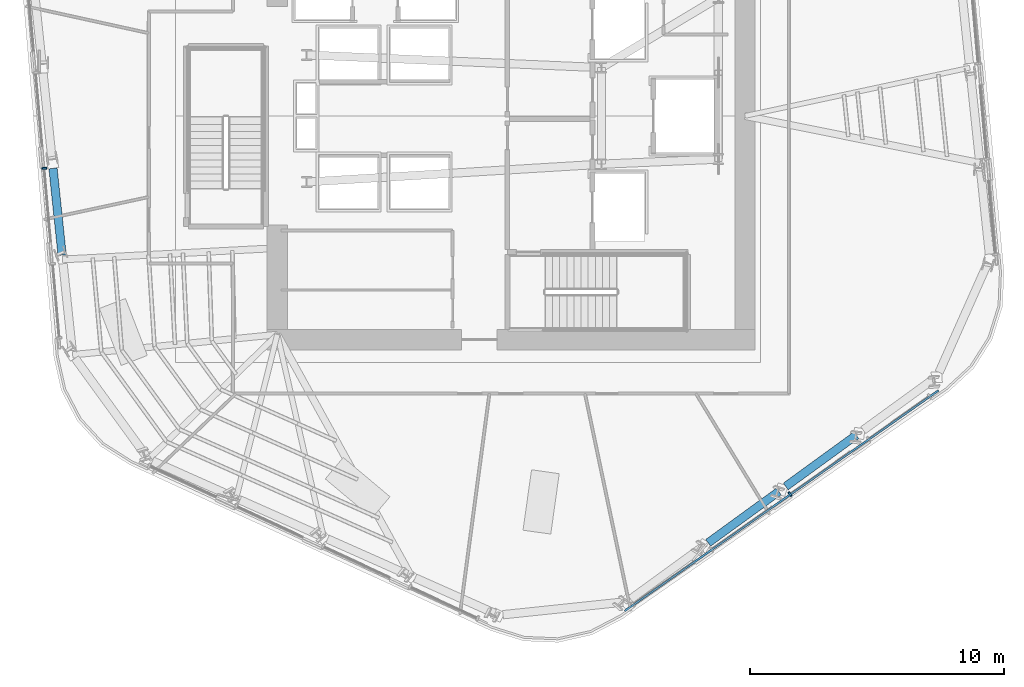
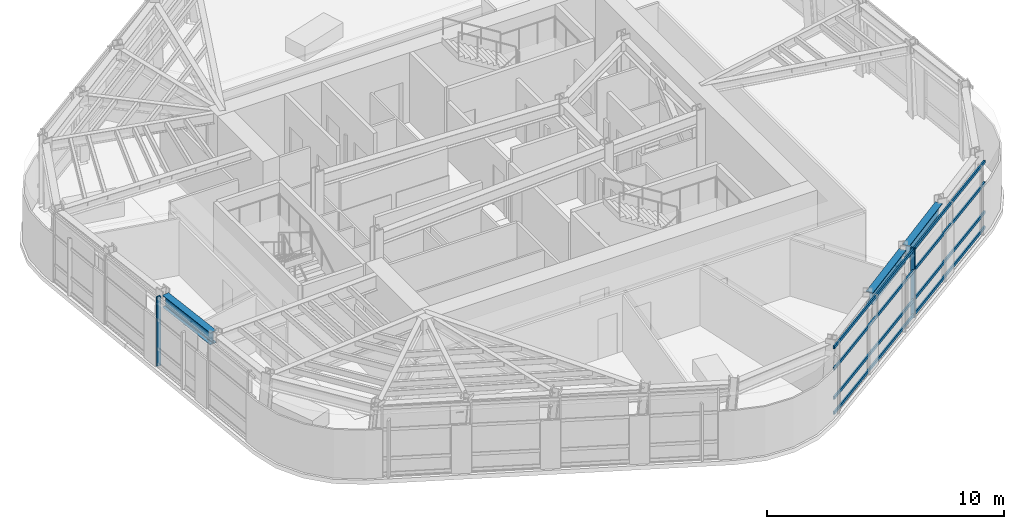
# One storey, part 3 of 14: 6 members, 3 beams, 2 elements without a shape of their own.
"""IFC4 building model written with IfcOpenShell, lengths in metres."""

import ifcopenshell
import ifcopenshell.guid

model = None  # the IFC model being written
_history = None  # IfcOwnerHistory: only IFC2X3 demands one
_inside = {}  # id of a spatial element -> (the spatial element, [elements in it])
_under = {}  # id of a project, library or spatial element -> (it, [spatial elements below it])
_declared = {}  # id of a project -> (the project, [libraries it declares])
_typed = {}  # id of a type object -> (the type object, [elements of that type])
_made_of = {}  # id of a material, layer set ... -> (it, [elements and type objects made of it])


def new_model(schema):
    """Start an empty IFC model of exactly this schema.

    Asked for "IFC4X3", IfcOpenShell would pick the latest addendum, in which some entities
    have other attributes; the version numbers below select the first issue.
    IFC2X3 requires an IfcOwnerHistory on every rooted entity: one is made here for all.
    """
    global model, _history
    if schema == "IFC4X3":
        model = ifcopenshell.file(schema_version=(4, 3, 0, 0))
    else:
        model = ifcopenshell.file(schema=schema)
    _inside.clear()
    _under.clear()
    _declared.clear()
    _typed.clear()
    _made_of.clear()
    _history = None
    if model.schema == "IFC2X3":
        org = make("IfcOrganization", Name="unknown")
        user = make(
            "IfcPersonAndOrganization",
            ThePerson=make("IfcPerson", FamilyName="unknown"),
            TheOrganization=org,
        )
        app = make(
            "IfcApplication",
            ApplicationDeveloper=org,
            Version="unknown",
            ApplicationFullName="unknown",
            ApplicationIdentifier="unknown",
        )
        _history = make(
            "IfcOwnerHistory",
            OwningUser=user,
            OwningApplication=app,
            ChangeAction="ADDED",
            CreationDate=0,
        )
    return model


def make(cls, **values):
    """One entity of the class cls with the attributes given. An attribute that is None is left unset."""
    return model.create_entity(
        cls, **{name: value for name, value in values.items() if value is not None}
    )


def rooted(cls, **values):
    """An entity with a GlobalId (a new one), such as an element, a storey or a relation."""
    return make(cls, GlobalId=ifcopenshell.guid.new(), OwnerHistory=_history, **values)


def si_unit(unit_type, name, prefix=None):
    """IfcSIUnit, for example si_unit("LENGTHUNIT", "METRE", prefix="MILLI")."""
    return make("IfcSIUnit", UnitType=unit_type, Prefix=prefix, Name=name)


def assignment(units):
    """IfcUnitAssignment: the units of a project."""
    return None if units is None else make("IfcUnitAssignment", Units=units)


def point(xyz):
    """IfcCartesianPoint."""
    return None if xyz is None else make("IfcCartesianPoint", Coordinates=xyz)


def direction(xyz):
    """IfcDirection."""
    return None if xyz is None else make("IfcDirection", DirectionRatios=xyz)


def frame(location, z_axis=None, x_axis=None):
    """IfcAxis2Placement3D, a coordinate frame: its origin and axes. An axis left out is left unset."""
    return make(
        "IfcAxis2Placement3D",
        Location=point(location),
        Axis=direction(z_axis),
        RefDirection=direction(x_axis),
    )


def frame_2d(location, x_axis=None):
    """IfcAxis2Placement2D, a coordinate frame in the plane: its origin and x axis."""
    return make(
        "IfcAxis2Placement2D", Location=point(location), RefDirection=direction(x_axis)
    )


def origin():
    """The frame at (0, 0, 0) with its axes left unset."""
    return frame((0.0, 0.0, 0.0))


def origin_2d():
    """The frame at (0, 0) in the plane with its x axis left unset."""
    return frame_2d((0.0, 0.0))


def place(relative_to, where):
    """IfcLocalPlacement: puts the frame where relative to a parent placement (None: the world)."""
    return make(
        "IfcLocalPlacement", PlacementRelTo=relative_to, RelativePlacement=where
    )


def context(
    kind, dimensions, precision=None, world=None, true_north=None, identifier=None
):
    """IfcGeometricRepresentationContext, for example the 3D "Model" context."""
    return make(
        "IfcGeometricRepresentationContext",
        ContextIdentifier=identifier,
        ContextType=kind,
        CoordinateSpaceDimension=dimensions,
        Precision=precision,
        WorldCoordinateSystem=world,
        TrueNorth=true_north,
    )


def subcontext(parent, identifier, kind, view, scale=None):
    """IfcGeometricRepresentationSubContext, for example "Body" below "Model"."""
    return make(
        "IfcGeometricRepresentationSubContext",
        ContextIdentifier=identifier,
        ContextType=kind,
        ParentContext=parent,
        TargetScale=scale,
        TargetView=view,
    )


def project(units=None, contexts=None):
    """IfcProject with its units and contexts."""
    return rooted(
        "IfcProject",
        Name="project",
        RepresentationContexts=contexts,
        UnitsInContext=assignment(units),
    )


def spatial(cls, under=None, at=None, **own):
    """A site, building, storey or space (cls), placed at a placement, below another one or the project."""
    s = rooted(cls, ObjectPlacement=at, **own)
    if under is not None:
        _under.setdefault(under.id(), (under, []))[1].append(s)
    return s


def profile(cls, at=None, kind="AREA", **sizes):
    """A parametric profile (cls). Its sizes go by their IFC names, for example OverallWidth=200.0."""
    return make(cls, ProfileType=kind, Position=at, **sizes)


def rectangle(**sizes):
    """IfcRectangleProfileDef."""
    return profile("IfcRectangleProfileDef", **sizes)


def i_section(**sizes):
    """IfcIShapeProfileDef."""
    return profile("IfcIShapeProfileDef", **sizes)


def extrude(swept, where, along, depth):
    """IfcExtrudedAreaSolid: the profile swept, set in the frame where, extruded along a direction by depth."""
    return make(
        "IfcExtrudedAreaSolid",
        SweptArea=swept,
        Position=where,
        ExtrudedDirection=direction(along),
        Depth=depth,
    )


def shape(context_of_items, identifier, shape_type, items):
    """IfcShapeRepresentation: the items that make up one representation, for example the "Body"."""
    return make(
        "IfcShapeRepresentation",
        ContextOfItems=context_of_items,
        RepresentationIdentifier=identifier,
        RepresentationType=shape_type,
        Items=items,
    )


def material(Name=None, Category=None):
    """IfcMaterial."""
    return make("IfcMaterial", Name=Name, Category=Category)


def layer(
    of_material, thickness, ventilated=None, Name=None, Category=None, Priority=None
):
    """IfcMaterialLayer: one layer of a wall or slab, of a material (None: an air gap)."""
    return make(
        "IfcMaterialLayer",
        Material=of_material,
        LayerThickness=thickness,
        IsVentilated=ventilated,
        Name=Name,
        Category=Category,
        Priority=Priority,
    )


def layer_set(layers, Name=None):
    """IfcMaterialLayerSet."""
    return make("IfcMaterialLayerSet", MaterialLayers=layers, LayerSetName=Name)


def material_profile(
    of_material, cross_section, Name=None, Category=None, Priority=None
):
    """IfcMaterialProfile: a cross section and its material."""
    return make(
        "IfcMaterialProfile",
        Name=Name,
        Material=of_material,
        Profile=cross_section,
        Priority=Priority,
        Category=Category,
    )


def profile_set(profiles, Name=None, composite=None):
    """IfcMaterialProfileSet."""
    return make(
        "IfcMaterialProfileSet",
        Name=Name,
        MaterialProfiles=profiles,
        CompositeProfile=composite,
    )


def made_of(thing, what):
    """Note that an element or type object is made of a material, layer set ...; save() writes the relation."""
    if what is not None:
        _made_of.setdefault(what.id(), (what, []))[1].append(thing)
    return thing


def type_object(cls, material=None, **own):
    """A type object (cls), such as IfcWallType, which elements share."""
    return made_of(rooted(cls, **own), material)


def element(
    cls,
    number,
    at=None,
    inside=None,
    cuts=None,
    type_object=None,
    material=None,
    context=None,
    identifier="Body",
    shape_type=None,
    held_by="IfcProductDefinitionShape",
    body=None,
    shapes=None,
    **own,
):
    """One element of the class cls, such as IfcWall. Its Tag is "e" and its number.

    at: its placement. inside: the storey or other place that contains it. cuts: it is an
    opening in that element (IfcRelVoidsElement). A single representation is given by context,
    identifier, shape_type and body (its items); several are given by shapes. held_by: the class
    of the entity that holds the representations. save() writes the other relations.
    """
    e = rooted(cls, Tag="e%d" % number, ObjectPlacement=at, **own)
    if body is not None:
        shapes = [shape(context, identifier, shape_type, body)]
    if shapes is not None:
        e.Representation = make(held_by, Representations=shapes)
    if inside is not None:
        _inside.setdefault(inside.id(), (inside, []))[1].append(e)
    if cuts is not None:
        rooted(
            "IfcRelVoidsElement", RelatingBuildingElement=cuts, RelatedOpeningElement=e
        )
    if type_object is not None:
        _typed.setdefault(type_object.id(), (type_object, []))[1].append(e)
    return made_of(e, material)


def aggregate(whole, parts):
    """IfcRelAggregates: a whole, such as a stair, and the parts it consists of."""
    return rooted("IfcRelAggregates", RelatingObject=whole, RelatedObjects=parts)


def save(model, path):
    """Write the relations noted so far, then the file.

    IfcRelAggregates (storeys below a building ...), IfcRelContainedInSpatialStructure (elements
    in a storey), IfcRelDefinesByType, IfcRelAssociatesMaterial and IfcRelDeclares: one each for
    every whole, place, type object, material and project.
    """
    for whole, parts in _under.values():
        aggregate(whole, parts)
    for where, things in _inside.values():
        rooted(
            "IfcRelContainedInSpatialStructure",
            RelatedElements=things,
            RelatingStructure=where,
        )
    for kind, things in _typed.values():
        rooted("IfcRelDefinesByType", RelatedObjects=things, RelatingType=kind)
    for what, things in _made_of.values():
        rooted("IfcRelAssociatesMaterial", RelatedObjects=things, RelatingMaterial=what)
    for by, libraries in _declared.values():
        rooted("IfcRelDeclares", RelatingContext=by, RelatedDefinitions=libraries)
    model.write(path)


model = new_model("IFC4")

# Units and contexts
model_context = context("Model", 3, precision=1e-05, world=origin(), true_north=direction((0.0, 1.0)))
body_context = subcontext(model_context, "Body", "Model", "MODEL_VIEW")
ifc_project = project(units=[si_unit("LENGTHUNIT", "METRE"), si_unit("AREAUNIT", "SQUARE_METRE"), si_unit("VOLUMEUNIT", "CUBIC_METRE"), si_unit("PLANEANGLEUNIT", "RADIAN"), si_unit("MASSUNIT", "GRAM", prefix="KILO")], contexts=[model_context])

# Site, building, storey
site_placement = place(None, origin())
site = spatial("IfcSite", under=ifc_project, at=site_placement, CompositionType="ELEMENT")
building_placement = place(site_placement, origin())
building = spatial("IfcBuilding", under=site, at=building_placement, Name="Valkerne Bourse Tower", CompositionType="ELEMENT")
storey_placement = place(building_placement, frame((0.0, 0.0, 174.199951171875)))
storey = spatial("IfcBuildingStorey", under=building, at=storey_placement, Name="L44", CompositionType="ELEMENT", Elevation=174.199951171875)

# Beams
ifc_material_1 = material(Name="Steel ASTM A992", Category="steel")
ifc_material_profile_1 = material_profile(ifc_material_1, i_section(OverallWidth=0.32763671875, OverallDepth=0.62744140625, WebThickness=0.0166015625, FlangeThickness=0.027587890625, FilletRadius=0.020263671875, at=origin_2d()), Name="W24X146")
ifc_profile_set_1 = profile_set([ifc_material_profile_1], Name="Steel ASTM A992")
beam_type = type_object("IfcBeamType", Name="BM-W24X146", PredefinedType="SPANDREL", material=ifc_profile_set_1)
beam_placement = place(storey_placement, frame((28.77392578125, 24.934326171875, 3.266357421875), z_axis=(0.10453291195, -0.994521427783, 0.0), x_axis=(0.994521427783, 0.10453291195, 0.0)))
element("IfcBeam", 1, at=beam_placement, inside=storey, type_object=beam_type, Name="L44 Hexagonal Spandrel Ring Beam 12", PredefinedType="SPANDREL", context=body_context, shape_type="SweptSolid", body=[
    extrude(i_section(OverallWidth=0.32763671875, OverallDepth=0.62744140625, WebThickness=0.0166015625, FlangeThickness=0.027587890625, FilletRadius=0.020263671875, at=origin_2d()), origin(), (0.0, 0.0, 1.0), 3.430908203125),
])
for number, where, z_axis, x_axis, name in (
    (2, (54.551025390625, 10.205078125, 3.266357421875), (0.809009839624, 0.587795099836, 0.0), (-0.587795099836, 0.809009839624, 0.0), "L44 Hexagonal Spandrel Ring Beam 21"),
    (3, (57.601806640625, 12.421630859375, 3.266357421875), (0.809009839624, 0.587795099836, 0.0), (-0.587795099836, 0.809009839624, 0.0), "L44 Hexagonal Spandrel Ring Beam 22"),
):
    element("IfcBeam", number, at=place(storey_placement, frame(where, z_axis=z_axis, x_axis=x_axis)), inside=storey, type_object=beam_type, Name=name, PredefinedType="SPANDREL", context=body_context, shape_type="SweptSolid", body=[
        extrude(i_section(OverallWidth=0.32763671875, OverallDepth=0.62744140625, WebThickness=0.0166015625, FlangeThickness=0.027587890625, FilletRadius=0.020263671875, at=origin_2d()), origin(), (0.0, 0.0, 1.0), 3.43115234375),
    ])

# Curtain wall, member
ifc_material_2 = material(Name="Aluminium AA 6063-T6", Category="aluminium")
ifc_layer = layer(ifc_material_2, 0.235107421875)
ifc_layer_set = layer_set([ifc_layer], Name="Aluminium AA 6063-T6")
curtain_wall_type = type_object("IfcCurtainWallType", Name="CW-03", PredefinedType="NOTDEFINED", material=ifc_layer_set)
curtain_wall_1_placement = place(storey_placement, origin())
curtain_wall_1 = element("IfcCurtainWall", 4, at=curtain_wall_1_placement, inside=storey, type_object=curtain_wall_type, Name="L44 Hexagonal Stick Curtain Wall Face 3", PredefinedType="NOTDEFINED")
ifc_material_profile_2 = material_profile(ifc_material_2, rectangle(XDim=0.074951171875, YDim=0.199951171875, at=origin_2d()), Name="CWM-75X200")
ifc_profile_set_2 = profile_set([ifc_material_profile_2], Name="Aluminium AA 6063-T6")
member_type_1 = type_object("IfcMemberType", Name="CW-MUL-220X75", PredefinedType="MULLION", material=ifc_profile_set_2)
member_1_placement = place(storey_placement, frame((28.42724609375, 24.938720703125, 0.0), z_axis=(0.0, 0.0, 1.0), x_axis=(0.088888247408, -0.996041605292, 0.0)))
member_1 = element("IfcMember", 5, at=member_1_placement, type_object=member_type_1, Name="CW-L44-F3 Jamb Mullion 02A", PredefinedType="MULLION", context=body_context, shape_type="SweptSolid", body=[
    extrude(rectangle(XDim=0.074951171875, YDim=0.199951171875, at=origin_2d()), origin(), (0.0, 0.0, 1.0), 3.580078125),
])
aggregate(curtain_wall_1, [member_1])

# Curtain wall, members
curtain_wall_2_placement = place(storey_placement, origin())
curtain_wall_2 = element("IfcCurtainWall", 6, at=curtain_wall_2_placement, inside=storey, type_object=curtain_wall_type, Name="L44 Hexagonal Stick Curtain Wall Face 5", PredefinedType="NOTDEFINED")
member_2_placement = place(storey_placement, frame((57.771484375, 12.119384765625, 0.0), z_axis=(0.0, 0.0, 1.0), x_axis=(0.818139097953, 0.575020361728, 0.0)))
member_2 = element("IfcMember", 7, at=member_2_placement, type_object=member_type_1, Name="CW-L44-F5 Jamb Mullion 02A", PredefinedType="MULLION", context=body_context, shape_type="SweptSolid", body=[
    extrude(rectangle(XDim=0.074951171875, YDim=0.199951171875, at=origin_2d()), origin(), (0.0, 0.0, 1.0), 3.580078125),
])
ifc_material_profile_3 = material_profile(ifc_material_2, rectangle(XDim=0.074951171875, YDim=0.14990234375, at=origin_2d()), Name="CWT-75X150")
ifc_profile_set_3 = profile_set([ifc_material_profile_3], Name="Aluminium AA 6063-T6")
member_type_2 = type_object("IfcMemberType", Name="CW-TRN-180X65", PredefinedType="USERDEFINED", material=ifc_profile_set_3)
member_3_placement = place(storey_placement, frame((51.26904296875, 7.52490234375, 0.1201171875), z_axis=(0.818147657076, 0.575008183613, 0.0), x_axis=(-0.575008183613, 0.818147657076, 0.0)))
member_3 = element("IfcMember", 8, at=member_3_placement, type_object=member_type_2, Name="CW-L44-F5 Continuous Face Transom 1", ObjectType="TRANSOM", PredefinedType="USERDEFINED", context=body_context, shape_type="SweptSolid", body=[
    extrude(rectangle(XDim=0.074951171875, YDim=0.14990234375, at=origin_2d()), origin(), (0.0, 0.0, 1.0), 15.083740234375),
])
member_4_placement = place(storey_placement, frame((51.26904296875, 7.52490234375, 0.900146484375), z_axis=(0.818147657076, 0.575008183613, 0.0), x_axis=(-0.575008183613, 0.818147657076, 0.0)))
member_4 = element("IfcMember", 9, at=member_4_placement, type_object=member_type_2, Name="CW-L44-F5 Continuous Face Transom 2", ObjectType="TRANSOM", PredefinedType="USERDEFINED", context=body_context, shape_type="SweptSolid", body=[
    extrude(rectangle(XDim=0.074951171875, YDim=0.14990234375, at=origin_2d()), origin(), (0.0, 0.0, 1.0), 15.083740234375),
])
member_5_placement = place(storey_placement, frame((51.26904296875, 7.52490234375, 2.400146484375), z_axis=(0.818147657076, 0.575008183613, 0.0), x_axis=(-0.575008183613, 0.818147657076, 0.0)))
member_5 = element("IfcMember", 10, at=member_5_placement, type_object=member_type_2, Name="CW-L44-F5 Continuous Face Transom 3", ObjectType="TRANSOM", PredefinedType="USERDEFINED", context=body_context, shape_type="SweptSolid", body=[
    extrude(rectangle(XDim=0.074951171875, YDim=0.14990234375, at=origin_2d()), origin(), (0.0, 0.0, 1.0), 15.083740234375),
])
member_6_placement = place(storey_placement, frame((51.26904296875, 7.52490234375, 3.5), z_axis=(0.818147657076, 0.575008183613, 0.0), x_axis=(-0.575008183613, 0.818147657076, 0.0)))
member_6 = element("IfcMember", 11, at=member_6_placement, type_object=member_type_2, Name="CW-L44-F5 Continuous Face Transom 4", ObjectType="TRANSOM", PredefinedType="USERDEFINED", context=body_context, shape_type="SweptSolid", body=[
    extrude(rectangle(XDim=0.074951171875, YDim=0.14990234375, at=origin_2d()), origin(), (0.0, 0.0, 1.0), 15.083740234375),
])
aggregate(curtain_wall_2, [member_3, member_4, member_5, member_6, member_2])

save(model, "model.ifc")
